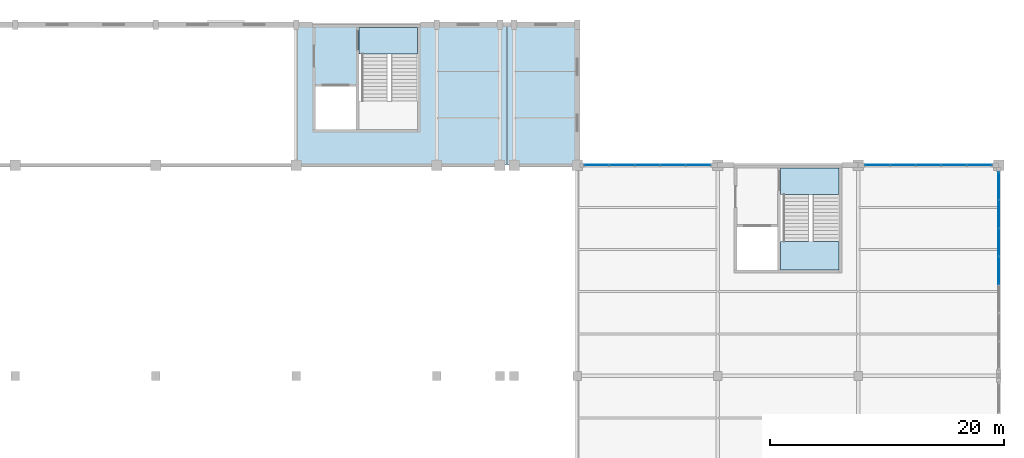
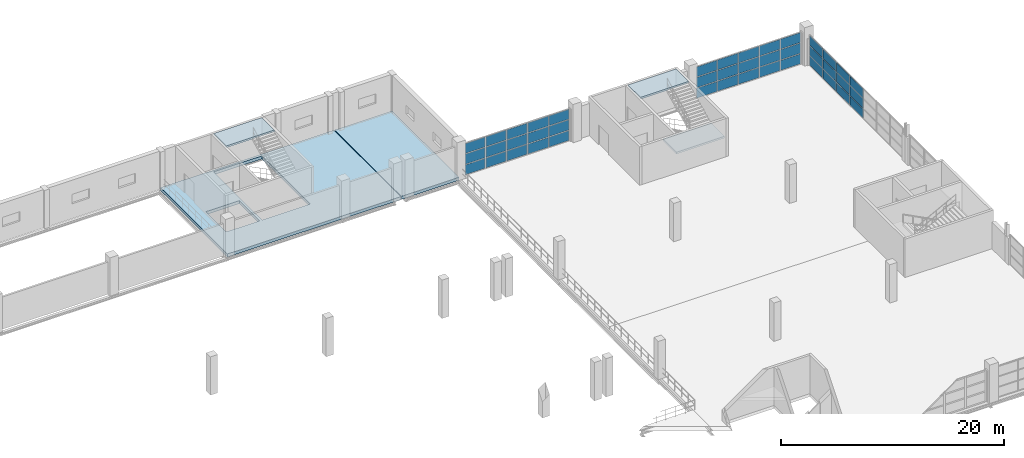
# One storey, part 137 of 158: 42 plates, 5 slabs, 5 elements without a shape of their own.
"""IFC4 building model written with IfcOpenShell, lengths in metres."""

from ifc_helpers import new_model, si_unit, direction, frame, origin, origin_2d, place, context, subcontext, project, spatial, polyline, rectangle, outline, extrude, material, layer, layer_set, type_object, element, aggregate, save


model = new_model("IFC4")

# Units and contexts
model_context = context("Model", 3, precision=1e-05, world=origin(), true_north=direction((0.0, 1.0)))
body_context = subcontext(model_context, "Body", "Model", "MODEL_VIEW")
ifc_project = project(units=[si_unit("LENGTHUNIT", "METRE"), si_unit("AREAUNIT", "SQUARE_METRE"), si_unit("VOLUMEUNIT", "CUBIC_METRE"), si_unit("PLANEANGLEUNIT", "RADIAN"), si_unit("MASSUNIT", "GRAM", prefix="KILO")], contexts=[model_context])

# Site, building, storey
site_placement = place(None, origin())
site = spatial("IfcSite", under=ifc_project, at=site_placement, CompositionType="ELEMENT")
building_placement = place(site_placement, origin())
building = spatial("IfcBuilding", under=site, at=building_placement, Name="Zilviju Railside Exhibition Hall", CompositionType="ELEMENT")
storey_placement = place(building_placement, frame((0.0, 0.0, 4.199951171875)))
storey = spatial("IfcBuildingStorey", under=building, at=storey_placement, Name="L02", CompositionType="ELEMENT", Elevation=4.199951171875)

# Curtain wall, plates
ifc_material_1 = material(Name="Thermally broken aluminium-steel triple-glazed curtain wall", Category="steel")
ifc_layer_1 = layer(ifc_material_1, 0.179931640625)
ifc_layer_set_1 = layer_set([ifc_layer_1], Name="Thermally broken aluminium-steel triple-glazed curtain wall")
curtain_wall_type_1 = type_object("IfcCurtainWallType", Name="CW-BAY-14", PredefinedType="USERDEFINED", material=ifc_layer_set_1)
curtain_wall_1_placement = place(storey_placement, origin())
curtain_wall_1 = element("IfcCurtainWall", 1, at=curtain_wall_1_placement, inside=storey, type_object=curtain_wall_type_1, Name="North Hall Clerestory Curtain Wall L02 (204..216)", ObjectType="GLAZED CURTAIN WALL", PredefinedType="USERDEFINED")
ifc_material_2 = material(Name="Triple-glazed solar-control glass unit", Category="glass")
ifc_layer_2 = layer(ifc_material_2, 0.0380859375)
ifc_layer_set_2 = layer_set([ifc_layer_2], Name="Triple-glazed solar-control glass unit")
plate_type_1 = type_object("IfcPlateType", Name="CWP-IGU-38", PredefinedType="CURTAIN_PANEL", material=ifc_layer_set_2)
plate_1_placement = place(storey_placement, frame((205.65625, 138.0, 0.065185546875), z_axis=(0.0, 0.0, 1.0), x_axis=(1.0, 0.0, 0.0)))
plate_1 = element("IfcPlate", 2, at=plate_1_placement, type_object=plate_type_1, Name="CW-14 panel 1.1", PredefinedType="CURTAIN_PANEL", context=body_context, shape_type="SweptSolid", body=[
    extrude(rectangle(XDim=2.08251953125, YDim=0.0380859375, at=origin_2d()), origin(), (0.0, 0.0, 1.0), 1.08544921875),
])
plate_2_placement = place(storey_placement, frame((205.65625, 138.0, 1.2158203125), z_axis=(0.0, 0.0, 1.0), x_axis=(1.0, 0.0, 0.0)))
plate_2 = element("IfcPlate", 3, at=plate_2_placement, type_object=plate_type_1, Name="CW-14 panel 1.2", PredefinedType="CURTAIN_PANEL", context=body_context, shape_type="SweptSolid", body=[
    extrude(rectangle(XDim=2.08251953125, YDim=0.0380859375, at=origin_2d()), origin(), (0.0, 0.0, 1.0), 1.118896484375),
])
plate_3_placement = place(storey_placement, frame((205.65625, 138.0, 2.399658203125), z_axis=(0.0, 0.0, 1.0), x_axis=(1.0, 0.0, 0.0)))
plate_3 = element("IfcPlate", 4, at=plate_3_placement, type_object=plate_type_1, Name="CW-14 panel 1.3", PredefinedType="CURTAIN_PANEL", context=body_context, shape_type="SweptSolid", body=[
    extrude(rectangle(XDim=2.08251953125, YDim=0.0380859375, at=origin_2d()), origin(), (0.0, 0.0, 1.0), 1.08544921875),
])
plate_4_placement = place(storey_placement, frame((207.820068359375, 138.0, 0.065185546875), z_axis=(0.0, 0.0, 1.0), x_axis=(1.0, 0.0, 0.0)))
plate_4 = element("IfcPlate", 5, at=plate_4_placement, type_object=plate_type_1, Name="CW-14 panel 2.1", PredefinedType="CURTAIN_PANEL", context=body_context, shape_type="SweptSolid", body=[
    extrude(rectangle(XDim=2.114990234375, YDim=0.0380859375, at=origin_2d()), origin(), (0.0, 0.0, 1.0), 1.08544921875),
])
plate_5_placement = place(storey_placement, frame((207.820068359375, 138.0, 1.2158203125), z_axis=(0.0, 0.0, 1.0), x_axis=(1.0, 0.0, 0.0)))
plate_5 = element("IfcPlate", 6, at=plate_5_placement, type_object=plate_type_1, Name="CW-14 panel 2.2", PredefinedType="CURTAIN_PANEL", context=body_context, shape_type="SweptSolid", body=[
    extrude(rectangle(XDim=2.114990234375, YDim=0.0380859375, at=origin_2d()), origin(), (0.0, 0.0, 1.0), 1.118896484375),
])
plate_6_placement = place(storey_placement, frame((207.820068359375, 138.0, 2.399658203125), z_axis=(0.0, 0.0, 1.0), x_axis=(1.0, 0.0, 0.0)))
plate_6 = element("IfcPlate", 7, at=plate_6_placement, type_object=plate_type_1, Name="CW-14 panel 2.3", PredefinedType="CURTAIN_PANEL", context=body_context, shape_type="SweptSolid", body=[
    extrude(rectangle(XDim=2.114990234375, YDim=0.0380859375, at=origin_2d()), origin(), (0.0, 0.0, 1.0), 1.08544921875),
])
plate_7_placement = place(storey_placement, frame((210.0, 138.0, 0.065185546875), z_axis=(0.0, 0.0, 1.0), x_axis=(1.0, 0.0, 0.0)))
plate_7 = element("IfcPlate", 8, at=plate_7_placement, type_object=plate_type_1, Name="CW-14 panel 3.1", PredefinedType="CURTAIN_PANEL", context=body_context, shape_type="SweptSolid", body=[
    extrude(rectangle(XDim=2.114990234375, YDim=0.0380859375, at=origin_2d()), origin(), (0.0, 0.0, 1.0), 1.08544921875),
])
plate_8_placement = place(storey_placement, frame((210.0, 138.0, 1.2158203125), z_axis=(0.0, 0.0, 1.0), x_axis=(1.0, 0.0, 0.0)))
plate_8 = element("IfcPlate", 9, at=plate_8_placement, type_object=plate_type_1, Name="CW-14 panel 3.2", PredefinedType="CURTAIN_PANEL", context=body_context, shape_type="SweptSolid", body=[
    extrude(rectangle(XDim=2.114990234375, YDim=0.0380859375, at=origin_2d()), origin(), (0.0, 0.0, 1.0), 1.118896484375),
])
plate_9_placement = place(storey_placement, frame((210.0, 138.0, 2.399658203125), z_axis=(0.0, 0.0, 1.0), x_axis=(1.0, 0.0, 0.0)))
plate_9 = element("IfcPlate", 10, at=plate_9_placement, type_object=plate_type_1, Name="CW-14 panel 3.3", PredefinedType="CURTAIN_PANEL", context=body_context, shape_type="SweptSolid", body=[
    extrude(rectangle(XDim=2.114990234375, YDim=0.0380859375, at=origin_2d()), origin(), (0.0, 0.0, 1.0), 1.08544921875),
])
plate_10_placement = place(storey_placement, frame((212.179931640625, 138.0, 0.065185546875), z_axis=(0.0, 0.0, 1.0), x_axis=(1.0, 0.0, 0.0)))
plate_10 = element("IfcPlate", 11, at=plate_10_placement, type_object=plate_type_1, Name="CW-14 panel 4.1", PredefinedType="CURTAIN_PANEL", context=body_context, shape_type="SweptSolid", body=[
    extrude(rectangle(XDim=2.114990234375, YDim=0.0380859375, at=origin_2d()), origin(), (0.0, 0.0, 1.0), 1.08544921875),
])
plate_11_placement = place(storey_placement, frame((212.179931640625, 138.0, 1.2158203125), z_axis=(0.0, 0.0, 1.0), x_axis=(1.0, 0.0, 0.0)))
plate_11 = element("IfcPlate", 12, at=plate_11_placement, type_object=plate_type_1, Name="CW-14 panel 4.2", PredefinedType="CURTAIN_PANEL", context=body_context, shape_type="SweptSolid", body=[
    extrude(rectangle(XDim=2.114990234375, YDim=0.0380859375, at=origin_2d()), origin(), (0.0, 0.0, 1.0), 1.118896484375),
])
plate_12_placement = place(storey_placement, frame((212.179931640625, 138.0, 2.399658203125), z_axis=(0.0, 0.0, 1.0), x_axis=(1.0, 0.0, 0.0)))
plate_12 = element("IfcPlate", 13, at=plate_12_placement, type_object=plate_type_1, Name="CW-14 panel 4.3", PredefinedType="CURTAIN_PANEL", context=body_context, shape_type="SweptSolid", body=[
    extrude(rectangle(XDim=2.114990234375, YDim=0.0380859375, at=origin_2d()), origin(), (0.0, 0.0, 1.0), 1.08544921875),
])
plate_13_placement = place(storey_placement, frame((214.34375, 138.0, 0.065185546875), z_axis=(0.0, 0.0, 1.0), x_axis=(1.0, 0.0, 0.0)))
plate_13 = element("IfcPlate", 14, at=plate_13_placement, type_object=plate_type_1, Name="CW-14 panel 5.1", PredefinedType="CURTAIN_PANEL", context=body_context, shape_type="SweptSolid", body=[
    extrude(rectangle(XDim=2.08251953125, YDim=0.0380859375, at=origin_2d()), origin(), (0.0, 0.0, 1.0), 1.08544921875),
])
plate_14_placement = place(storey_placement, frame((214.34375, 138.0, 1.2158203125), z_axis=(0.0, 0.0, 1.0), x_axis=(1.0, 0.0, 0.0)))
plate_14 = element("IfcPlate", 15, at=plate_14_placement, type_object=plate_type_1, Name="CW-14 panel 5.2", PredefinedType="CURTAIN_PANEL", context=body_context, shape_type="SweptSolid", body=[
    extrude(rectangle(XDim=2.08251953125, YDim=0.0380859375, at=origin_2d()), origin(), (0.0, 0.0, 1.0), 1.118896484375),
])
plate_15_placement = place(storey_placement, frame((214.34375, 138.0, 2.399658203125), z_axis=(0.0, 0.0, 1.0), x_axis=(1.0, 0.0, 0.0)))
plate_15 = element("IfcPlate", 16, at=plate_15_placement, type_object=plate_type_1, Name="CW-14 panel 5.3", PredefinedType="CURTAIN_PANEL", context=body_context, shape_type="SweptSolid", body=[
    extrude(rectangle(XDim=2.08251953125, YDim=0.0380859375, at=origin_2d()), origin(), (0.0, 0.0, 1.0), 1.08544921875),
])
aggregate(curtain_wall_1, [plate_1, plate_2, plate_3, plate_4, plate_5, plate_6, plate_7, plate_8, plate_9, plate_10, plate_11, plate_12, plate_13, plate_14, plate_15])

ifc_layer_3 = layer(ifc_material_1, 0.179931640625)
ifc_layer_set_3 = layer_set([ifc_layer_3], Name="Thermally broken aluminium-steel triple-glazed curtain wall")
curtain_wall_type_2 = type_object("IfcCurtainWallType", Name="CW-BAY-13", PredefinedType="USERDEFINED", material=ifc_layer_set_3)
curtain_wall_2_placement = place(storey_placement, origin())
curtain_wall_2 = element("IfcCurtainWall", 17, at=curtain_wall_2_placement, inside=storey, type_object=curtain_wall_type_2, Name="North Hall Clerestory Curtain Wall L02 (180..192)", ObjectType="GLAZED CURTAIN WALL", PredefinedType="USERDEFINED")
ifc_material_3 = material(Name="Triple-glazed low-E argon insulating glass unit", Category="glass")
ifc_layer_4 = layer(ifc_material_3, 0.0439453125)
ifc_layer_set_4 = layer_set([ifc_layer_4], Name="Triple-glazed low-E argon insulating glass unit")
plate_type_2 = type_object("IfcPlateType", Name="CWP-IGU-44", PredefinedType="CURTAIN_PANEL", material=ifc_layer_set_4)
plate_16_placement = place(storey_placement, frame((181.657470703125, 138.0, 0.0703125), z_axis=(0.0, 0.0, 1.0), x_axis=(1.0, 0.0, 0.0)))
plate_16 = element("IfcPlate", 18, at=plate_16_placement, type_object=plate_type_2, Name="CW-13 panel 1.1", PredefinedType="CURTAIN_PANEL", context=body_context, shape_type="SweptSolid", body=[
    extrude(rectangle(XDim=2.074951171875, YDim=0.0439453125, at=origin_2d()), origin(), (0.0, 0.0, 1.0), 1.077880859375),
])
plate_17_placement = place(storey_placement, frame((181.657470703125, 138.0, 1.21826171875), z_axis=(0.0, 0.0, 1.0), x_axis=(1.0, 0.0, 0.0)))
plate_17 = element("IfcPlate", 19, at=plate_17_placement, type_object=plate_type_2, Name="CW-13 panel 1.2", PredefinedType="CURTAIN_PANEL", context=body_context, shape_type="SweptSolid", body=[
    extrude(rectangle(XDim=2.074951171875, YDim=0.0439453125, at=origin_2d()), origin(), (0.0, 0.0, 1.0), 1.114013671875),
])
plate_18_placement = place(storey_placement, frame((181.657470703125, 138.0, 2.40234375), z_axis=(0.0, 0.0, 1.0), x_axis=(1.0, 0.0, 0.0)))
plate_18 = element("IfcPlate", 20, at=plate_18_placement, type_object=plate_type_2, Name="CW-13 panel 1.3", PredefinedType="CURTAIN_PANEL", context=body_context, shape_type="SweptSolid", body=[
    extrude(rectangle(XDim=2.074951171875, YDim=0.0439453125, at=origin_2d()), origin(), (0.0, 0.0, 1.0), 1.077880859375),
])
plate_19_placement = place(storey_placement, frame((183.820068359375, 138.0, 0.0703125), z_axis=(0.0, 0.0, 1.0), x_axis=(1.0, 0.0, 0.0)))
plate_19 = element("IfcPlate", 21, at=plate_19_placement, type_object=plate_type_2, Name="CW-13 panel 2.1", PredefinedType="CURTAIN_PANEL", context=body_context, shape_type="SweptSolid", body=[
    extrude(rectangle(XDim=2.110107421875, YDim=0.0439453125, at=origin_2d()), origin(), (0.0, 0.0, 1.0), 1.077880859375),
])
plate_20_placement = place(storey_placement, frame((183.820068359375, 138.0, 1.21826171875), z_axis=(0.0, 0.0, 1.0), x_axis=(1.0, 0.0, 0.0)))
plate_20 = element("IfcPlate", 22, at=plate_20_placement, type_object=plate_type_2, Name="CW-13 panel 2.2", PredefinedType="CURTAIN_PANEL", context=body_context, shape_type="SweptSolid", body=[
    extrude(rectangle(XDim=2.110107421875, YDim=0.0439453125, at=origin_2d()), origin(), (0.0, 0.0, 1.0), 1.114013671875),
])
plate_21_placement = place(storey_placement, frame((183.820068359375, 138.0, 2.40234375), z_axis=(0.0, 0.0, 1.0), x_axis=(1.0, 0.0, 0.0)))
plate_21 = element("IfcPlate", 23, at=plate_21_placement, type_object=plate_type_2, Name="CW-13 panel 2.3", PredefinedType="CURTAIN_PANEL", context=body_context, shape_type="SweptSolid", body=[
    extrude(rectangle(XDim=2.110107421875, YDim=0.0439453125, at=origin_2d()), origin(), (0.0, 0.0, 1.0), 1.077880859375),
])
plate_22_placement = place(storey_placement, frame((186.0, 138.0, 0.0703125), z_axis=(0.0, 0.0, 1.0), x_axis=(1.0, 0.0, 0.0)))
plate_22 = element("IfcPlate", 24, at=plate_22_placement, type_object=plate_type_2, Name="CW-13 panel 3.1", PredefinedType="CURTAIN_PANEL", context=body_context, shape_type="SweptSolid", body=[
    extrude(rectangle(XDim=2.110107421875, YDim=0.0439453125, at=origin_2d()), origin(), (0.0, 0.0, 1.0), 1.077880859375),
])
plate_23_placement = place(storey_placement, frame((186.0, 138.0, 1.21826171875), z_axis=(0.0, 0.0, 1.0), x_axis=(1.0, 0.0, 0.0)))
plate_23 = element("IfcPlate", 25, at=plate_23_placement, type_object=plate_type_2, Name="CW-13 panel 3.2", PredefinedType="CURTAIN_PANEL", context=body_context, shape_type="SweptSolid", body=[
    extrude(rectangle(XDim=2.110107421875, YDim=0.0439453125, at=origin_2d()), origin(), (0.0, 0.0, 1.0), 1.114013671875),
])
plate_24_placement = place(storey_placement, frame((186.0, 138.0, 2.40234375), z_axis=(0.0, 0.0, 1.0), x_axis=(1.0, 0.0, 0.0)))
plate_24 = element("IfcPlate", 26, at=plate_24_placement, type_object=plate_type_2, Name="CW-13 panel 3.3", PredefinedType="CURTAIN_PANEL", context=body_context, shape_type="SweptSolid", body=[
    extrude(rectangle(XDim=2.110107421875, YDim=0.0439453125, at=origin_2d()), origin(), (0.0, 0.0, 1.0), 1.077880859375),
])
plate_25_placement = place(storey_placement, frame((188.179931640625, 138.0, 0.0703125), z_axis=(0.0, 0.0, 1.0), x_axis=(1.0, 0.0, 0.0)))
plate_25 = element("IfcPlate", 27, at=plate_25_placement, type_object=plate_type_2, Name="CW-13 panel 4.1", PredefinedType="CURTAIN_PANEL", context=body_context, shape_type="SweptSolid", body=[
    extrude(rectangle(XDim=2.110107421875, YDim=0.0439453125, at=origin_2d()), origin(), (0.0, 0.0, 1.0), 1.077880859375),
])
plate_26_placement = place(storey_placement, frame((188.179931640625, 138.0, 1.21826171875), z_axis=(0.0, 0.0, 1.0), x_axis=(1.0, 0.0, 0.0)))
plate_26 = element("IfcPlate", 28, at=plate_26_placement, type_object=plate_type_2, Name="CW-13 panel 4.2", PredefinedType="CURTAIN_PANEL", context=body_context, shape_type="SweptSolid", body=[
    extrude(rectangle(XDim=2.110107421875, YDim=0.0439453125, at=origin_2d()), origin(), (0.0, 0.0, 1.0), 1.114013671875),
])
plate_27_placement = place(storey_placement, frame((188.179931640625, 138.0, 2.40234375), z_axis=(0.0, 0.0, 1.0), x_axis=(1.0, 0.0, 0.0)))
plate_27 = element("IfcPlate", 29, at=plate_27_placement, type_object=plate_type_2, Name="CW-13 panel 4.3", PredefinedType="CURTAIN_PANEL", context=body_context, shape_type="SweptSolid", body=[
    extrude(rectangle(XDim=2.110107421875, YDim=0.0439453125, at=origin_2d()), origin(), (0.0, 0.0, 1.0), 1.077880859375),
])
plate_28_placement = place(storey_placement, frame((190.342529296875, 138.0, 0.0703125), z_axis=(0.0, 0.0, 1.0), x_axis=(1.0, 0.0, 0.0)))
plate_28 = element("IfcPlate", 30, at=plate_28_placement, type_object=plate_type_2, Name="CW-13 panel 5.1", PredefinedType="CURTAIN_PANEL", context=body_context, shape_type="SweptSolid", body=[
    extrude(rectangle(XDim=2.074951171875, YDim=0.0439453125, at=origin_2d()), origin(), (0.0, 0.0, 1.0), 1.077880859375),
])
plate_29_placement = place(storey_placement, frame((190.342529296875, 138.0, 1.21826171875), z_axis=(0.0, 0.0, 1.0), x_axis=(1.0, 0.0, 0.0)))
plate_29 = element("IfcPlate", 31, at=plate_29_placement, type_object=plate_type_2, Name="CW-13 panel 5.2", PredefinedType="CURTAIN_PANEL", context=body_context, shape_type="SweptSolid", body=[
    extrude(rectangle(XDim=2.074951171875, YDim=0.0439453125, at=origin_2d()), origin(), (0.0, 0.0, 1.0), 1.114013671875),
])
plate_30_placement = place(storey_placement, frame((190.342529296875, 138.0, 2.40234375), z_axis=(0.0, 0.0, 1.0), x_axis=(1.0, 0.0, 0.0)))
plate_30 = element("IfcPlate", 32, at=plate_30_placement, type_object=plate_type_2, Name="CW-13 panel 5.3", PredefinedType="CURTAIN_PANEL", context=body_context, shape_type="SweptSolid", body=[
    extrude(rectangle(XDim=2.074951171875, YDim=0.0439453125, at=origin_2d()), origin(), (0.0, 0.0, 1.0), 1.077880859375),
])
aggregate(curtain_wall_2, [plate_16, plate_17, plate_18, plate_19, plate_20, plate_21, plate_22, plate_23, plate_24, plate_25, plate_26, plate_27, plate_28, plate_29, plate_30])

ifc_layer_5 = layer(ifc_material_1, 0.179931640625)
ifc_layer_set_5 = layer_set([ifc_layer_5], Name="Thermally broken aluminium-steel triple-glazed curtain wall")
curtain_wall_type_3 = type_object("IfcCurtainWallType", Name="CW-BAY-17", PredefinedType="USERDEFINED", material=ifc_layer_set_5)
curtain_wall_3_placement = place(storey_placement, origin())
curtain_wall_3 = element("IfcCurtainWall", 33, at=curtain_wall_3_placement, inside=storey, type_object=curtain_wall_type_3, Name="North Hall East Glazed Gable L02 (120..138)", ObjectType="GLAZED CURTAIN WALL", PredefinedType="USERDEFINED")
ifc_material_4 = material(Name="Insulated emerald ceramic-frit spandrel panel", Category="glass")
ifc_layer_6 = layer(ifc_material_4, 0.06396484375)
ifc_layer_set_6 = layer_set([ifc_layer_6], Name="Insulated emerald ceramic-frit spandrel panel")
plate_type_3 = type_object("IfcPlateType", Name="CWP-SPD-64", PredefinedType="CURTAIN_PANEL", material=ifc_layer_set_6)
plate_31_placement = place(storey_placement, frame((216.0, 136.22412109375, 0.0751953125), z_axis=(0.0, 0.0, 1.0), x_axis=(0.0, -1.0, 0.0)))
plate_31 = element("IfcPlate", 34, at=plate_31_placement, type_object=plate_type_3, Name="CW-17 panel 1.1", PredefinedType="CURTAIN_PANEL", context=body_context, shape_type="SweptSolid", body=[
    extrude(rectangle(XDim=2.3017578125, YDim=0.06396484375, at=origin_2d()), origin(), (0.0, 0.0, 1.0), 1.00439453125),
])
plate_32_placement = place(storey_placement, frame((216.0, 136.22412109375, 1.154541015625), z_axis=(0.0, 0.0, 1.0), x_axis=(0.0, -1.0, 0.0)))
plate_32 = element("IfcPlate", 35, at=plate_32_placement, type_object=plate_type_3, Name="CW-17 panel 1.2", PredefinedType="CURTAIN_PANEL", context=body_context, shape_type="SweptSolid", body=[
    extrude(rectangle(XDim=2.3017578125, YDim=0.06396484375, at=origin_2d()), origin(), (0.0, 0.0, 1.0), 1.041015625),
])
plate_33_placement = place(storey_placement, frame((216.0, 136.22412109375, 2.2705078125), z_axis=(0.0, 0.0, 1.0), x_axis=(0.0, -1.0, 0.0)))
plate_33 = element("IfcPlate", 36, at=plate_33_placement, type_object=plate_type_3, Name="CW-17 panel 1.3", PredefinedType="CURTAIN_PANEL", context=body_context, shape_type="SweptSolid", body=[
    extrude(rectangle(XDim=2.3017578125, YDim=0.06396484375, at=origin_2d()), origin(), (0.0, 0.0, 1.0), 1.00439453125),
])
plate_34_placement = place(storey_placement, frame((216.0, 133.82861328125, 0.0751953125), z_axis=(0.0, 0.0, 1.0), x_axis=(0.0, -1.0, 0.0)))
plate_34 = element("IfcPlate", 37, at=plate_34_placement, type_object=plate_type_3, Name="CW-17 panel 2.1", PredefinedType="CURTAIN_PANEL", context=body_context, shape_type="SweptSolid", body=[
    extrude(rectangle(XDim=2.33935546875, YDim=0.06396484375, at=origin_2d()), origin(), (0.0, 0.0, 1.0), 1.00439453125),
])
plate_35_placement = place(storey_placement, frame((216.0, 133.82861328125, 1.154541015625), z_axis=(0.0, 0.0, 1.0), x_axis=(0.0, -1.0, 0.0)))
plate_35 = element("IfcPlate", 38, at=plate_35_placement, type_object=plate_type_3, Name="CW-17 panel 2.2", PredefinedType="CURTAIN_PANEL", context=body_context, shape_type="SweptSolid", body=[
    extrude(rectangle(XDim=2.33935546875, YDim=0.06396484375, at=origin_2d()), origin(), (0.0, 0.0, 1.0), 1.041015625),
])
plate_36_placement = place(storey_placement, frame((216.0, 133.82861328125, 2.2705078125), z_axis=(0.0, 0.0, 1.0), x_axis=(0.0, -1.0, 0.0)))
plate_36 = element("IfcPlate", 39, at=plate_36_placement, type_object=plate_type_3, Name="CW-17 panel 2.3", PredefinedType="CURTAIN_PANEL", context=body_context, shape_type="SweptSolid", body=[
    extrude(rectangle(XDim=2.33935546875, YDim=0.06396484375, at=origin_2d()), origin(), (0.0, 0.0, 1.0), 1.00439453125),
])
plate_37_placement = place(storey_placement, frame((216.0, 131.414306640625, 0.0751953125), z_axis=(0.0, 0.0, 1.0), x_axis=(0.0, -1.0, 0.0)))
plate_37 = element("IfcPlate", 40, at=plate_37_placement, type_object=plate_type_3, Name="CW-17 panel 3.1", PredefinedType="CURTAIN_PANEL", context=body_context, shape_type="SweptSolid", body=[
    extrude(rectangle(XDim=2.33935546875, YDim=0.06396484375, at=origin_2d()), origin(), (0.0, 0.0, 1.0), 1.00439453125),
])
plate_38_placement = place(storey_placement, frame((216.0, 131.414306640625, 1.154541015625), z_axis=(0.0, 0.0, 1.0), x_axis=(0.0, -1.0, 0.0)))
plate_38 = element("IfcPlate", 41, at=plate_38_placement, type_object=plate_type_3, Name="CW-17 panel 3.2", PredefinedType="CURTAIN_PANEL", context=body_context, shape_type="SweptSolid", body=[
    extrude(rectangle(XDim=2.33935546875, YDim=0.06396484375, at=origin_2d()), origin(), (0.0, 0.0, 1.0), 1.041015625),
])
plate_39_placement = place(storey_placement, frame((216.0, 131.414306640625, 2.2705078125), z_axis=(0.0, 0.0, 1.0), x_axis=(0.0, -1.0, 0.0)))
plate_39 = element("IfcPlate", 42, at=plate_39_placement, type_object=plate_type_3, Name="CW-17 panel 3.3", PredefinedType="CURTAIN_PANEL", context=body_context, shape_type="SweptSolid", body=[
    extrude(rectangle(XDim=2.33935546875, YDim=0.06396484375, at=origin_2d()), origin(), (0.0, 0.0, 1.0), 1.00439453125),
])
plate_40_placement = place(storey_placement, frame((216.0, 129.0, 0.0751953125), z_axis=(0.0, 0.0, 1.0), x_axis=(0.0, -1.0, 0.0)))
plate_40 = element("IfcPlate", 43, at=plate_40_placement, type_object=plate_type_3, Name="CW-17 panel 4.1", PredefinedType="CURTAIN_PANEL", context=body_context, shape_type="SweptSolid", body=[
    extrude(rectangle(XDim=2.33935546875, YDim=0.06396484375, at=origin_2d()), origin(), (0.0, 0.0, 1.0), 1.00439453125),
])
plate_41_placement = place(storey_placement, frame((216.0, 129.0, 1.154541015625), z_axis=(0.0, 0.0, 1.0), x_axis=(0.0, -1.0, 0.0)))
plate_41 = element("IfcPlate", 44, at=plate_41_placement, type_object=plate_type_3, Name="CW-17 panel 4.2", PredefinedType="CURTAIN_PANEL", context=body_context, shape_type="SweptSolid", body=[
    extrude(rectangle(XDim=2.33935546875, YDim=0.06396484375, at=origin_2d()), origin(), (0.0, 0.0, 1.0), 1.041015625),
])
plate_42_placement = place(storey_placement, frame((216.0, 129.0, 2.2705078125), z_axis=(0.0, 0.0, 1.0), x_axis=(0.0, -1.0, 0.0)))
plate_42 = element("IfcPlate", 45, at=plate_42_placement, type_object=plate_type_3, Name="CW-17 panel 4.3", PredefinedType="CURTAIN_PANEL", context=body_context, shape_type="SweptSolid", body=[
    extrude(rectangle(XDim=2.33935546875, YDim=0.06396484375, at=origin_2d()), origin(), (0.0, 0.0, 1.0), 1.00439453125),
])
aggregate(curtain_wall_3, [plate_31, plate_32, plate_33, plate_34, plate_35, plate_36, plate_37, plate_38, plate_39, plate_40, plate_41, plate_42])

# Slabs
ifc_material_5 = material(Name="Concrete C35/45", Category="concrete")
ifc_layer_7 = layer(ifc_material_5, 0.330078125)
ifc_layer_set_7 = layer_set([ifc_layer_7], Name="Concrete C35/45")
slab_type_1 = type_object("IfcSlabType", Name="SL-FLR-330", PredefinedType="FLOOR", material=ifc_layer_set_7)
slab_1_placement = place(storey_placement, frame((0.0, 0.0, -0.329833984375)))
element("IfcSlab", 46, at=slab_1_placement, inside=storey, type_object=slab_type_1, Name="Logistics L02 Acoustic AHU Plant Slab West", PredefinedType="FLOOR", context=body_context, shape_type="SweptSolid", body=[
    extrude(outline(polyline([(156.0, 138.0), (173.969970703125, 138.0), (173.969970703125, 150.0), (156.0, 150.0), (156.0, 138.0)]), holes=[polyline([(161.35009765625, 141.050048828125), (166.35009765625, 141.050048828125), (166.35009765625, 149.75), (161.35009765625, 149.75), (161.35009765625, 141.050048828125)]), polyline([(157.64990234375, 141.050048828125), (161.10009765625, 141.050048828125), (161.10009765625, 144.699951171875), (157.64990234375, 144.699951171875), (157.64990234375, 141.050048828125)])]), origin(), (0.0, 0.0, 1.0), 0.329833984375),
])
slab_2_placement = place(storey_placement, frame((0.0, 0.0, -0.329833984375)))
element("IfcSlab", 47, at=slab_2_placement, inside=storey, type_object=slab_type_1, Name="Logistics L02 Core Lobby Slab East", PredefinedType="FLOOR", context=body_context, shape_type="SweptSolid", body=[
    extrude(outline(polyline([(174.030029296875, 138.0), (180.0, 138.0), (180.0, 150.0), (174.030029296875, 150.0), (174.030029296875, 138.0)])), origin(), (0.0, 0.0, 1.0), 0.329833984375),
])

# Stair, slabs
stair_type = type_object("IfcStairType", Name="STAIR-ST-B", PredefinedType="HALF_TURN_STAIR", material=ifc_material_5)
stair_1_placement = place(storey_placement, origin())
stair_1 = element("IfcStair", 48, at=stair_1_placement, inside=storey, type_object=stair_type, Name="Core C08 North Hall Rail East Exit Stair L02", PredefinedType="HALF_TURN_STAIR")
ifc_layer_8 = layer(ifc_material_5, 0.199951171875)
ifc_layer_set_8 = layer_set([ifc_layer_8], Name="Concrete C35/45")
slab_type_2 = type_object("IfcSlabType", Name="SL-LAND-200", PredefinedType="LANDING", material=ifc_layer_set_8)
slab_3_placement = place(storey_placement, frame((0.0, 0.0, 1.900146484375)))
slab_3 = element("IfcSlab", 49, at=slab_3_placement, type_object=slab_type_2, Name="ST-08 landing 1", PredefinedType="LANDING", context=body_context, shape_type="SweptSolid", body=[
    extrude(outline(polyline([(202.35009765625, 131.469970703125), (197.35009765625, 131.469970703125), (197.35009765625, 129.050048828125), (202.35009765625, 129.050048828125), (202.35009765625, 131.469970703125)])), origin(), (0.0, 0.0, 1.0), 0.199951171875),
])
slab_4_placement = place(storey_placement, frame((0.0, 0.0, 4.0)))
slab_4 = element("IfcSlab", 50, at=slab_4_placement, type_object=slab_type_2, Name="ST-08 landing 2", PredefinedType="LANDING", context=body_context, shape_type="SweptSolid", body=[
    extrude(outline(polyline([(202.35009765625, 137.75), (197.35009765625, 137.75), (197.35009765625, 135.5), (202.35009765625, 135.5), (202.35009765625, 137.75)])), origin(), (0.0, 0.0, 1.0), 0.199951171875),
])
aggregate(stair_1, [slab_3, slab_4])

# Stair, slab
stair_2_placement = place(storey_placement, origin())
stair_2 = element("IfcStair", 51, at=stair_2_placement, inside=storey, type_object=stair_type, Name="Core C17 Logistics Wing East Exit Stair L02", PredefinedType="HALF_TURN_STAIR")
slab_5_placement = place(storey_placement, frame((0.0, 0.0, 4.0)))
slab_5 = element("IfcSlab", 52, at=slab_5_placement, type_object=slab_type_2, Name="ST-17 landing 2", PredefinedType="LANDING", context=body_context, shape_type="SweptSolid", body=[
    extrude(outline(polyline([(166.35009765625, 149.75), (161.35009765625, 149.75), (161.35009765625, 147.5), (166.35009765625, 147.5), (166.35009765625, 149.75)])), origin(), (0.0, 0.0, 1.0), 0.199951171875),
])
aggregate(stair_2, [slab_5])

save(model, "model.ifc")
